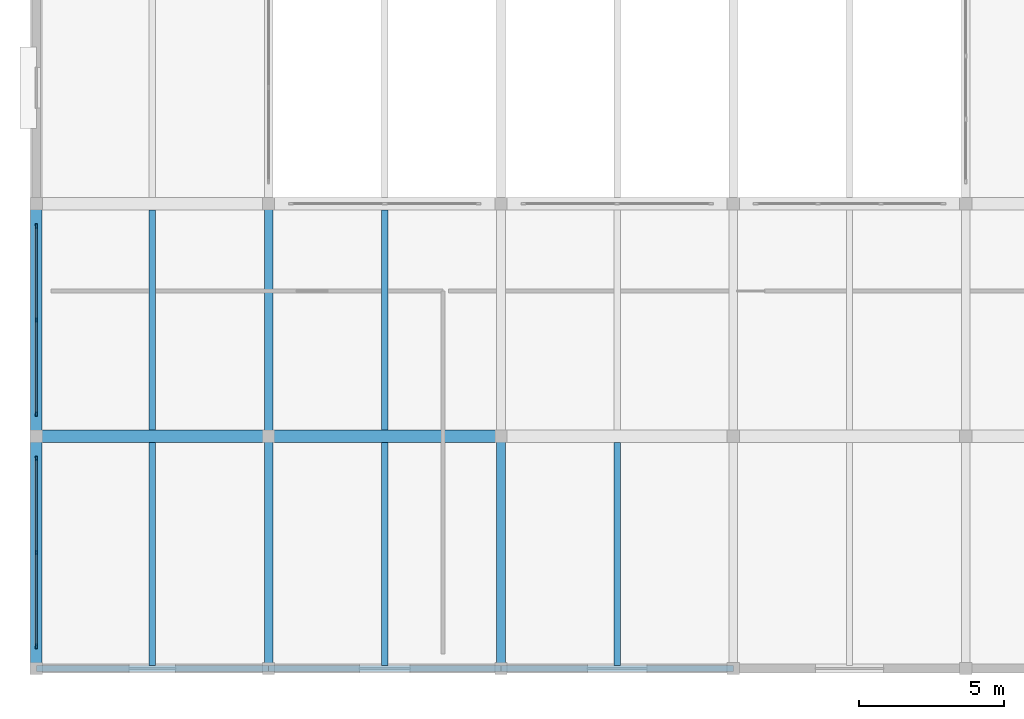
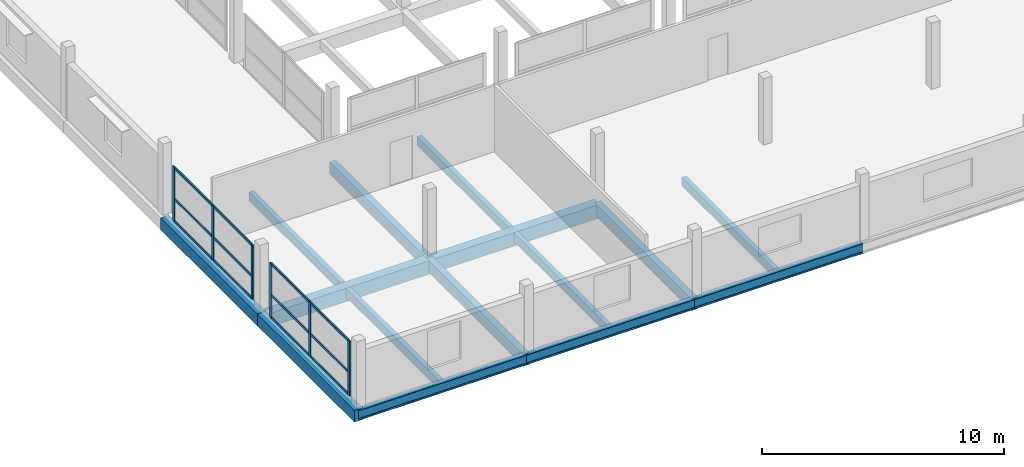
# One storey, part 5 of 51: 18 members, 15 beams, 2 elements without a shape of their own.
"""IFC4 building model written with IfcOpenShell, lengths in metres."""

from ifc_helpers import new_model, si_unit, direction, frame, origin, origin_2d, place, context, subcontext, project, spatial, rectangle, i_section, extrude, material, material_profile, profile_set, type_object, element, aggregate, save


model = new_model("IFC4")

# Units and contexts
model_context = context("Model", 3, precision=1e-05, world=origin(), true_north=direction((0.0, 1.0)))
body_context = subcontext(model_context, "Body", "Model", "MODEL_VIEW")
ifc_project = project(units=[si_unit("LENGTHUNIT", "METRE"), si_unit("AREAUNIT", "SQUARE_METRE"), si_unit("VOLUMEUNIT", "CUBIC_METRE"), si_unit("PLANEANGLEUNIT", "RADIAN"), si_unit("MASSUNIT", "GRAM", prefix="KILO")], contexts=[model_context])

# Site, building, storey
site_placement = place(None, origin())
site = spatial("IfcSite", under=ifc_project, at=site_placement, CompositionType="ELEMENT")
building_placement = place(site_placement, origin())
building = spatial("IfcBuilding", under=site, at=building_placement, Name="Vharandega Faculty of Natural Sciences", CompositionType="ELEMENT")
storey_placement = place(building_placement, frame((0.0, 0.0, 14.39990234375)))
storey = spatial("IfcBuildingStorey", under=building, at=storey_placement, Name="L03", CompositionType="ELEMENT", Elevation=14.39990234375)

# Curtain wall, members
ifc_material_1 = material(Name="Aluminium and solar-control glass curtain wall", Category="aluminium")
curtain_wall_type_1 = type_object("IfcCurtainWallType", Name="Unitised Curtain Wall System CW-12", PredefinedType="NOTDEFINED", material=ifc_material_1)
curtain_wall_1_placement = place(storey_placement, origin())
curtain_wall_1 = element("IfcCurtainWall", 1, at=curtain_wall_1_placement, inside=storey, type_object=curtain_wall_type_1, Name="Curtain Wall CW-L03-151", PredefinedType="NOTDEFINED")
ifc_material_2 = material(Name="Thermally broken aluminium 6063-T6", Category="aluminium")
ifc_material_profile_1 = material_profile(ifc_material_2, rectangle(XDim=0.06005859375, YDim=0.159912109375, at=origin_2d()), Name="ALU 60x160")
ifc_profile_set_1 = profile_set([ifc_material_profile_1], Name="Thermally broken aluminium 6063-T6")
member_type_1 = type_object("IfcMemberType", Name="CW Mullion 60x160", PredefinedType="MULLION", material=ifc_profile_set_1)
member_1_placement = place(storey_placement, frame((0.0, 0.77001953125, 0.0), z_axis=(0.0, 0.0, 1.0), x_axis=(-1.0, 0.0, 0.0)))
member_1 = element("IfcMember", 2, at=member_1_placement, type_object=member_type_1, Name="CW-12 mullion 1", PredefinedType="MULLION", context=body_context, shape_type="SweptSolid", body=[
    extrude(rectangle(XDim=0.06005859375, YDim=0.159912109375, at=origin_2d()), origin(), (0.0, 0.0, 1.0), 2.739990234375),
])
member_2_placement = place(storey_placement, frame((0.0, 4.0, 0.0), z_axis=(0.0, 0.0, 1.0), x_axis=(-1.0, 0.0, 0.0)))
member_2 = element("IfcMember", 3, at=member_2_placement, type_object=member_type_1, Name="CW-12 mullion 2", PredefinedType="MULLION", context=body_context, shape_type="SweptSolid", body=[
    extrude(rectangle(XDim=0.06005859375, YDim=0.159912109375, at=origin_2d()), origin(), (0.0, 0.0, 1.0), 2.739990234375),
])
member_3_placement = place(storey_placement, frame((0.0, 7.22998046875, 0.0), z_axis=(0.0, 0.0, 1.0), x_axis=(-1.0, 0.0, 0.0)))
member_3 = element("IfcMember", 4, at=member_3_placement, type_object=member_type_1, Name="CW-12 mullion 3", PredefinedType="MULLION", context=body_context, shape_type="SweptSolid", body=[
    extrude(rectangle(XDim=0.06005859375, YDim=0.159912109375, at=origin_2d()), origin(), (0.0, 0.0, 1.0), 2.739990234375),
])

ifc_material_3 = material(Name="Aluminium and solar-control glass curtain wall", Category="aluminium")
curtain_wall_type_2 = type_object("IfcCurtainWallType", Name="Unitised Curtain Wall System CW-13", PredefinedType="NOTDEFINED", material=ifc_material_3)
curtain_wall_2_placement = place(storey_placement, origin())
curtain_wall_2 = element("IfcCurtainWall", 5, at=curtain_wall_2_placement, inside=storey, type_object=curtain_wall_type_2, Name="Curtain Wall CW-L03-152", PredefinedType="NOTDEFINED")
member_4_placement = place(storey_placement, frame((0.0, 8.77001953125, 0.0), z_axis=(0.0, 0.0, 1.0), x_axis=(-1.0, 0.0, 0.0)))
member_4 = element("IfcMember", 6, at=member_4_placement, type_object=member_type_1, Name="CW-13 mullion 1", PredefinedType="MULLION", context=body_context, shape_type="SweptSolid", body=[
    extrude(rectangle(XDim=0.06005859375, YDim=0.159912109375, at=origin_2d()), origin(), (0.0, 0.0, 1.0), 2.739990234375),
])
member_5_placement = place(storey_placement, frame((0.0, 12.0, 0.0), z_axis=(0.0, 0.0, 1.0), x_axis=(-1.0, 0.0, 0.0)))
member_5 = element("IfcMember", 7, at=member_5_placement, type_object=member_type_1, Name="CW-13 mullion 2", PredefinedType="MULLION", context=body_context, shape_type="SweptSolid", body=[
    extrude(rectangle(XDim=0.06005859375, YDim=0.159912109375, at=origin_2d()), origin(), (0.0, 0.0, 1.0), 2.739990234375),
])
member_6_placement = place(storey_placement, frame((0.0, 15.22998046875, 0.0), z_axis=(0.0, 0.0, 1.0), x_axis=(-1.0, 0.0, 0.0)))
member_6 = element("IfcMember", 8, at=member_6_placement, type_object=member_type_1, Name="CW-13 mullion 3", PredefinedType="MULLION", context=body_context, shape_type="SweptSolid", body=[
    extrude(rectangle(XDim=0.06005859375, YDim=0.159912109375, at=origin_2d()), origin(), (0.0, 0.0, 1.0), 2.739990234375),
])

# Member
ifc_material_4 = material(Name="Thermally broken aluminium 6063-T6", Category="aluminium")
ifc_material_profile_2 = material_profile(ifc_material_4, rectangle(XDim=0.06005859375, YDim=0.1201171875, at=origin_2d()), Name="ALU 60x120")
ifc_profile_set_2 = profile_set([ifc_material_profile_2], Name="Thermally broken aluminium 6063-T6")
member_type_2 = type_object("IfcMemberType", Name="CW Transom 60x120", PredefinedType="USERDEFINED", material=ifc_profile_set_2)
member_7_placement = place(storey_placement, frame((0.0, 0.800048828125, 0.030029296875), z_axis=(0.0, 1.0, 0.0), x_axis=(-1.0, 0.0, 0.0)))
member_7 = element("IfcMember", 9, at=member_7_placement, type_object=member_type_2, Name="CW-12 transom 1.1", ObjectType="TRANSOM", PredefinedType="USERDEFINED", context=body_context, shape_type="SweptSolid", body=[
    extrude(rectangle(XDim=0.06005859375, YDim=0.1201171875, at=origin_2d()), origin(), (0.0, 0.0, 1.0), 3.169921875),
])

member_8_placement = place(storey_placement, frame((0.0, 0.800048828125, 1.15087890625), z_axis=(0.0, 1.0, 0.0), x_axis=(-1.0, 0.0, 0.0)))
member_8 = element("IfcMember", 10, at=member_8_placement, type_object=member_type_2, Name="CW-12 transom 1.2", ObjectType="TRANSOM", PredefinedType="USERDEFINED", context=body_context, shape_type="SweptSolid", body=[
    extrude(rectangle(XDim=0.06005859375, YDim=0.1201171875, at=origin_2d()), origin(), (0.0, 0.0, 1.0), 3.169921875),
])

member_9_placement = place(storey_placement, frame((0.0, 0.800048828125, 2.710205078125), z_axis=(0.0, 1.0, 0.0), x_axis=(-1.0, 0.0, 0.0)))
member_9 = element("IfcMember", 11, at=member_9_placement, type_object=member_type_2, Name="CW-12 transom 1.3", ObjectType="TRANSOM", PredefinedType="USERDEFINED", context=body_context, shape_type="SweptSolid", body=[
    extrude(rectangle(XDim=0.06005859375, YDim=0.1201171875, at=origin_2d()), origin(), (0.0, 0.0, 1.0), 3.169921875),
])

member_10_placement = place(storey_placement, frame((0.0, 4.030029296875, 0.030029296875), z_axis=(0.0, 1.0, 0.0), x_axis=(-1.0, 0.0, 0.0)))
member_10 = element("IfcMember", 12, at=member_10_placement, type_object=member_type_2, Name="CW-12 transom 2.1", ObjectType="TRANSOM", PredefinedType="USERDEFINED", context=body_context, shape_type="SweptSolid", body=[
    extrude(rectangle(XDim=0.06005859375, YDim=0.1201171875, at=origin_2d()), origin(), (0.0, 0.0, 1.0), 3.169921875),
])

member_11_placement = place(storey_placement, frame((0.0, 4.030029296875, 1.15087890625), z_axis=(0.0, 1.0, 0.0), x_axis=(-1.0, 0.0, 0.0)))
member_11 = element("IfcMember", 13, at=member_11_placement, type_object=member_type_2, Name="CW-12 transom 2.2", ObjectType="TRANSOM", PredefinedType="USERDEFINED", context=body_context, shape_type="SweptSolid", body=[
    extrude(rectangle(XDim=0.06005859375, YDim=0.1201171875, at=origin_2d()), origin(), (0.0, 0.0, 1.0), 3.169921875),
])

member_12_placement = place(storey_placement, frame((0.0, 4.030029296875, 2.710205078125), z_axis=(0.0, 1.0, 0.0), x_axis=(-1.0, 0.0, 0.0)))
member_12 = element("IfcMember", 14, at=member_12_placement, type_object=member_type_2, Name="CW-12 transom 2.3", ObjectType="TRANSOM", PredefinedType="USERDEFINED", context=body_context, shape_type="SweptSolid", body=[
    extrude(rectangle(XDim=0.06005859375, YDim=0.1201171875, at=origin_2d()), origin(), (0.0, 0.0, 1.0), 3.169921875),
])

aggregate(curtain_wall_1, [member_1, member_2, member_3, member_7, member_8, member_9, member_10, member_11, member_12])

member_13_placement = place(storey_placement, frame((0.0, 8.800048828125, 0.030029296875), z_axis=(0.0, 1.0, 0.0), x_axis=(-1.0, 0.0, 0.0)))
member_13 = element("IfcMember", 15, at=member_13_placement, type_object=member_type_2, Name="CW-13 transom 1.1", ObjectType="TRANSOM", PredefinedType="USERDEFINED", context=body_context, shape_type="SweptSolid", body=[
    extrude(rectangle(XDim=0.06005859375, YDim=0.1201171875, at=origin_2d()), origin(), (0.0, 0.0, 1.0), 3.169921875),
])

member_14_placement = place(storey_placement, frame((0.0, 8.800048828125, 1.15087890625), z_axis=(0.0, 1.0, 0.0), x_axis=(-1.0, 0.0, 0.0)))
member_14 = element("IfcMember", 16, at=member_14_placement, type_object=member_type_2, Name="CW-13 transom 1.2", ObjectType="TRANSOM", PredefinedType="USERDEFINED", context=body_context, shape_type="SweptSolid", body=[
    extrude(rectangle(XDim=0.06005859375, YDim=0.1201171875, at=origin_2d()), origin(), (0.0, 0.0, 1.0), 3.169921875),
])

member_15_placement = place(storey_placement, frame((0.0, 8.800048828125, 2.710205078125), z_axis=(0.0, 1.0, 0.0), x_axis=(-1.0, 0.0, 0.0)))
member_15 = element("IfcMember", 17, at=member_15_placement, type_object=member_type_2, Name="CW-13 transom 1.3", ObjectType="TRANSOM", PredefinedType="USERDEFINED", context=body_context, shape_type="SweptSolid", body=[
    extrude(rectangle(XDim=0.06005859375, YDim=0.1201171875, at=origin_2d()), origin(), (0.0, 0.0, 1.0), 3.169921875),
])

member_16_placement = place(storey_placement, frame((0.0, 12.030029296875, 0.030029296875), z_axis=(0.0, 1.0, 0.0), x_axis=(-1.0, 0.0, 0.0)))
member_16 = element("IfcMember", 18, at=member_16_placement, type_object=member_type_2, Name="CW-13 transom 2.1", ObjectType="TRANSOM", PredefinedType="USERDEFINED", context=body_context, shape_type="SweptSolid", body=[
    extrude(rectangle(XDim=0.06005859375, YDim=0.1201171875, at=origin_2d()), origin(), (0.0, 0.0, 1.0), 3.169921875),
])

member_17_placement = place(storey_placement, frame((0.0, 12.030029296875, 1.15087890625), z_axis=(0.0, 1.0, 0.0), x_axis=(-1.0, 0.0, 0.0)))
member_17 = element("IfcMember", 19, at=member_17_placement, type_object=member_type_2, Name="CW-13 transom 2.2", ObjectType="TRANSOM", PredefinedType="USERDEFINED", context=body_context, shape_type="SweptSolid", body=[
    extrude(rectangle(XDim=0.06005859375, YDim=0.1201171875, at=origin_2d()), origin(), (0.0, 0.0, 1.0), 3.169921875),
])

member_18_placement = place(storey_placement, frame((0.0, 12.030029296875, 2.710205078125), z_axis=(0.0, 1.0, 0.0), x_axis=(-1.0, 0.0, 0.0)))
member_18 = element("IfcMember", 20, at=member_18_placement, type_object=member_type_2, Name="CW-13 transom 2.3", ObjectType="TRANSOM", PredefinedType="USERDEFINED", context=body_context, shape_type="SweptSolid", body=[
    extrude(rectangle(XDim=0.06005859375, YDim=0.1201171875, at=origin_2d()), origin(), (0.0, 0.0, 1.0), 3.169921875),
])

aggregate(curtain_wall_2, [member_4, member_5, member_6, member_13, member_14, member_15, member_16, member_17, member_18])

# Beams
ifc_material_5 = material(Name="Glulam GL28h", Category="wood")
ifc_material_profile_3 = material_profile(ifc_material_5, rectangle(XDim=0.300048828125, YDim=0.60009765625, at=origin_2d()), Name="GL28h 300x600")
ifc_profile_set_3 = profile_set([ifc_material_profile_3], Name="Glulam GL28h")
beam_type_1 = type_object("IfcBeamType", Name="Glulam Floor Beam 300x600", PredefinedType="BEAM", material=ifc_profile_set_3)
for number, where, z_axis, x_axis, name in (
    (21, (8.0, 0.0, -0.539794921875), (0.0, 1.0, 0.0), (-1.0, 0.0, 0.0), "Beam L03 2/A-B"),
    (22, (8.0, 8.0, -0.539794921875), (0.0, 1.0, 0.0), (-1.0, 0.0, 0.0), "Beam L03 2/B-C"),
    (23, (16.0, 0.0, -0.539794921875), (0.0, 1.0, 0.0), (-1.0, 0.0, 0.0), "Beam L03 3/A-B"),
):
    element("IfcBeam", number, at=place(storey_placement, frame(where, z_axis=z_axis, x_axis=x_axis)), inside=storey, type_object=beam_type_1, Name=name, PredefinedType="BEAM", context=body_context, shape_type="SweptSolid", body=[
        extrude(rectangle(XDim=0.300048828125, YDim=0.60009765625, at=origin_2d()), origin(), (0.0, 0.0, 1.0), 8.0),
    ])
ifc_material_6 = material(Name="Glulam GL32h", Category="wood")
ifc_material_profile_4 = material_profile(ifc_material_6, rectangle(XDim=0.43994140625, YDim=0.679931640625, at=origin_2d()), Name="GL32h 440x680")
ifc_profile_set_4 = profile_set([ifc_material_profile_4], Name="Glulam GL32h")
beam_type_2 = type_object("IfcBeamType", Name="Glulam Girder 440x680", PredefinedType="BEAM", material=ifc_profile_set_4)
for number, where, z_axis, x_axis, name in (
    (24, (0.0, 8.0, -0.579833984375), (1.0, 0.0, 0.0), (0.0, 1.0, 0.0), "Beam L03 B/1-2"),
    (25, (8.0, 8.0, -0.579833984375), (1.0, 0.0, 0.0), (0.0, 1.0, 0.0), "Beam L03 B/2-3"),
):
    element("IfcBeam", number, at=place(storey_placement, frame(where, z_axis=z_axis, x_axis=x_axis)), inside=storey, type_object=beam_type_2, Name=name, PredefinedType="BEAM", context=body_context, shape_type="SweptSolid", body=[
        extrude(rectangle(XDim=0.43994140625, YDim=0.679931640625, at=origin_2d()), origin(), (0.0, 0.0, 1.0), 8.0),
    ])
ifc_material_7 = material(Name="Glulam GL28h", Category="wood")
ifc_material_profile_5 = material_profile(ifc_material_7, rectangle(XDim=0.219970703125, YDim=0.43994140625, at=origin_2d()), Name="GL28h 220x440")
ifc_profile_set_5 = profile_set([ifc_material_profile_5], Name="Glulam GL28h")
beam_type_3 = type_object("IfcBeamType", Name="Glulam Secondary Joist 220x440", PredefinedType="JOIST", material=ifc_profile_set_5)
beam_1_placement = place(storey_placement, frame((4.0, 0.10009765625, -0.4599609375), z_axis=(0.0, 1.0, 0.0), x_axis=(-1.0, 0.0, 0.0)))
element("IfcBeam", 26, at=beam_1_placement, inside=storey, type_object=beam_type_3, Name="Secondary Joist L03 1-2/A-B", PredefinedType="JOIST", context=body_context, shape_type="SweptSolid", body=[
    extrude(rectangle(XDim=0.219970703125, YDim=0.43994140625, at=origin_2d()), origin(), (0.0, 0.0, 1.0), 7.679931640625),
])
beam_2_placement = place(storey_placement, frame((4.0, 8.219970703125, -0.4599609375), z_axis=(0.0, 1.0, 0.0), x_axis=(-1.0, 0.0, 0.0)))
element("IfcBeam", 27, at=beam_2_placement, inside=storey, type_object=beam_type_3, Name="Secondary Joist L03 1-2/B-C", PredefinedType="JOIST", context=body_context, shape_type="SweptSolid", body=[
    extrude(rectangle(XDim=0.219970703125, YDim=0.43994140625, at=origin_2d()), origin(), (0.0, 0.0, 1.0), 7.56005859375),
])
beam_3_placement = place(storey_placement, frame((12.0, 0.10009765625, -0.4599609375), z_axis=(0.0, 1.0, 0.0), x_axis=(-1.0, 0.0, 0.0)))
element("IfcBeam", 28, at=beam_3_placement, inside=storey, type_object=beam_type_3, Name="Secondary Joist L03 2-3/A-B", PredefinedType="JOIST", context=body_context, shape_type="SweptSolid", body=[
    extrude(rectangle(XDim=0.219970703125, YDim=0.43994140625, at=origin_2d()), origin(), (0.0, 0.0, 1.0), 7.679931640625),
])
beam_4_placement = place(storey_placement, frame((12.0, 8.219970703125, -0.4599609375), z_axis=(0.0, 1.0, 0.0), x_axis=(-1.0, 0.0, 0.0)))
element("IfcBeam", 29, at=beam_4_placement, inside=storey, type_object=beam_type_3, Name="Secondary Joist L03 2-3/B-C", PredefinedType="JOIST", context=body_context, shape_type="SweptSolid", body=[
    extrude(rectangle(XDim=0.219970703125, YDim=0.43994140625, at=origin_2d()), origin(), (0.0, 0.0, 1.0), 7.56005859375),
])
beam_5_placement = place(storey_placement, frame((20.0, 0.10009765625, -0.4599609375), z_axis=(0.0, 1.0, 0.0), x_axis=(-1.0, 0.0, 0.0)))
element("IfcBeam", 30, at=beam_5_placement, inside=storey, type_object=beam_type_3, Name="Secondary Joist L03 3-4/A-B", PredefinedType="JOIST", context=body_context, shape_type="SweptSolid", body=[
    extrude(rectangle(XDim=0.219970703125, YDim=0.43994140625, at=origin_2d()), origin(), (0.0, 0.0, 1.0), 7.679931640625),
])
ifc_material_8 = material(Name="Glulam GL32h", Category="wood")
ifc_material_profile_6 = material_profile(ifc_material_8, rectangle(XDim=0.39990234375, YDim=0.60009765625, at=origin_2d()), Name="GL32h 400x600")
ifc_profile_set_6 = profile_set([ifc_material_profile_6], Name="Glulam GL32h")
beam_type_4 = type_object("IfcBeamType", Name="Glulam Spine Girder 400x600", PredefinedType="BEAM", material=ifc_profile_set_6)
for number, where, z_axis, x_axis, name in (
    (31, (0.0, 0.0, -0.539794921875), (0.0, 1.0, 0.0), (-1.0, 0.0, 0.0), "Beam L03 1/A-B"),
    (32, (0.0, 8.0, -0.539794921875), (0.0, 1.0, 0.0), (-1.0, 0.0, 0.0), "Beam L03 1/B-C"),
):
    element("IfcBeam", number, at=place(storey_placement, frame(where, z_axis=z_axis, x_axis=x_axis)), inside=storey, type_object=beam_type_4, Name=name, PredefinedType="BEAM", context=body_context, shape_type="SweptSolid", body=[
        extrude(rectangle(XDim=0.39990234375, YDim=0.60009765625, at=origin_2d()), origin(), (0.0, 0.0, 1.0), 8.0),
    ])
ifc_material_9 = material(Name="Steel S355", Category="steel")
ifc_material_profile_7 = material_profile(ifc_material_9, i_section(OverallWidth=0.199951171875, OverallDepth=0.5, WebThickness=0.01025390625, FlangeThickness=0.01611328125, FilletRadius=0.02099609375, at=origin_2d()), Name="IPE 500")
ifc_profile_set_7 = profile_set([ifc_material_profile_7], Name="Steel S355")
beam_type_5 = type_object("IfcBeamType", Name="Steel Spandrel Beam IPE 500", PredefinedType="SPANDREL", material=ifc_profile_set_7)
for number, where, z_axis, x_axis, name in (
    (33, (0.0, 0.0, -0.489990234375), (1.0, 0.0, 0.0), (0.0, 1.0, 0.0), "Beam L03 A/1-2"),
    (34, (8.0, 0.0, -0.489990234375), (1.0, 0.0, 0.0), (0.0, 1.0, 0.0), "Beam L03 A/2-3"),
    (35, (16.0, 0.0, -0.489990234375), (1.0, 0.0, 0.0), (0.0, 1.0, 0.0), "Beam L03 A/3-4"),
):
    element("IfcBeam", number, at=place(storey_placement, frame(where, z_axis=z_axis, x_axis=x_axis)), inside=storey, type_object=beam_type_5, Name=name, PredefinedType="SPANDREL", context=body_context, shape_type="SweptSolid", body=[
        extrude(i_section(OverallWidth=0.199951171875, OverallDepth=0.5, WebThickness=0.01025390625, FlangeThickness=0.01611328125, FilletRadius=0.02099609375, at=origin_2d()), origin(), (0.0, 0.0, 1.0), 8.0),
    ])

save(model, "model.ifc")
